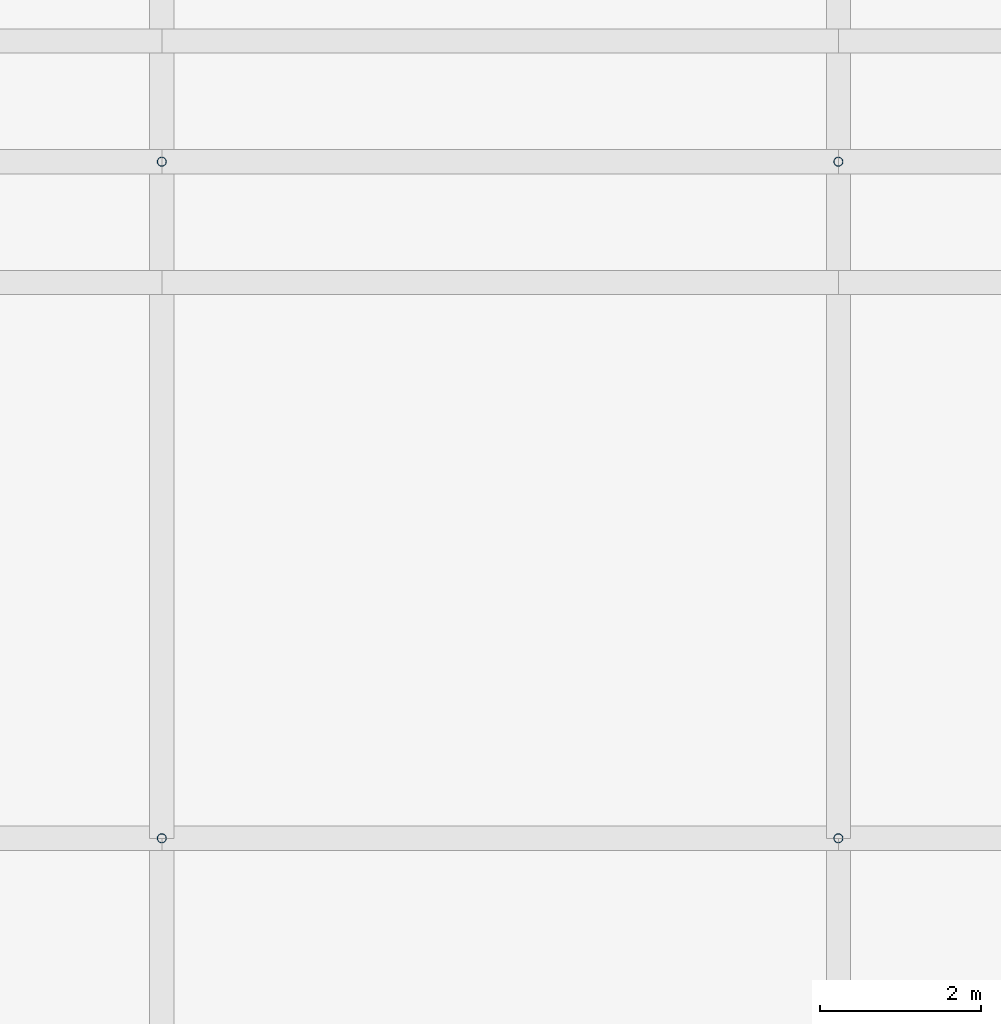
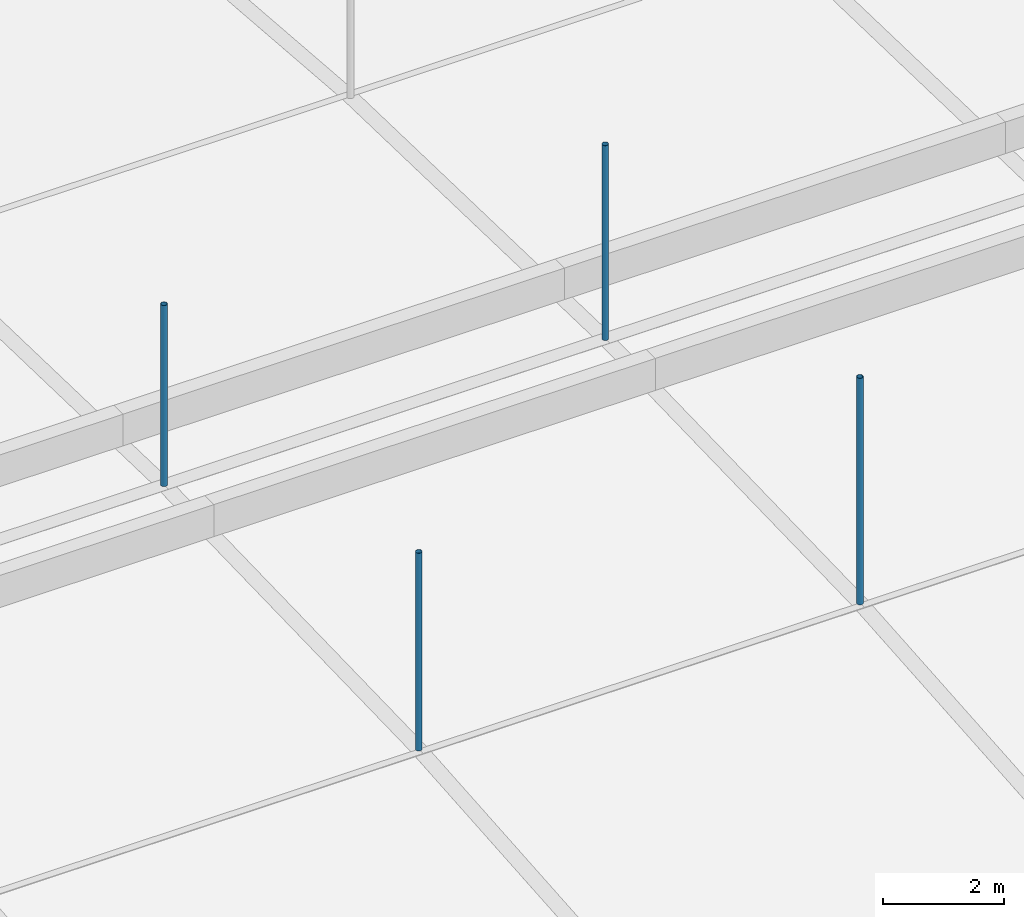
# One storey, part 22 of 37: 4 discrete accessories.
"""IFC4 building model written with IfcOpenShell, lengths in metres."""

import ifcopenshell
import ifcopenshell.guid

model = None  # the IFC model being written
_history = None  # IfcOwnerHistory: only IFC2X3 demands one
_inside = {}  # id of a spatial element -> (the spatial element, [elements in it])
_under = {}  # id of a project, library or spatial element -> (it, [spatial elements below it])
_declared = {}  # id of a project -> (the project, [libraries it declares])
_typed = {}  # id of a type object -> (the type object, [elements of that type])
_made_of = {}  # id of a material, layer set ... -> (it, [elements and type objects made of it])


def new_model(schema):
    """Start an empty IFC model of exactly this schema.

    Asked for "IFC4X3", IfcOpenShell would pick the latest addendum, in which some entities
    have other attributes; the version numbers below select the first issue.
    IFC2X3 requires an IfcOwnerHistory on every rooted entity: one is made here for all.
    """
    global model, _history
    if schema == "IFC4X3":
        model = ifcopenshell.file(schema_version=(4, 3, 0, 0))
    else:
        model = ifcopenshell.file(schema=schema)
    _inside.clear()
    _under.clear()
    _declared.clear()
    _typed.clear()
    _made_of.clear()
    _history = None
    if model.schema == "IFC2X3":
        org = make("IfcOrganization", Name="unknown")
        user = make(
            "IfcPersonAndOrganization",
            ThePerson=make("IfcPerson", FamilyName="unknown"),
            TheOrganization=org,
        )
        app = make(
            "IfcApplication",
            ApplicationDeveloper=org,
            Version="unknown",
            ApplicationFullName="unknown",
            ApplicationIdentifier="unknown",
        )
        _history = make(
            "IfcOwnerHistory",
            OwningUser=user,
            OwningApplication=app,
            ChangeAction="ADDED",
            CreationDate=0,
        )
    return model


def make(cls, **values):
    """One entity of the class cls with the attributes given. An attribute that is None is left unset."""
    return model.create_entity(
        cls, **{name: value for name, value in values.items() if value is not None}
    )


def rooted(cls, **values):
    """An entity with a GlobalId (a new one), such as an element, a storey or a relation."""
    return make(cls, GlobalId=ifcopenshell.guid.new(), OwnerHistory=_history, **values)


def si_unit(unit_type, name, prefix=None):
    """IfcSIUnit, for example si_unit("LENGTHUNIT", "METRE", prefix="MILLI")."""
    return make("IfcSIUnit", UnitType=unit_type, Prefix=prefix, Name=name)


def assignment(units):
    """IfcUnitAssignment: the units of a project."""
    return None if units is None else make("IfcUnitAssignment", Units=units)


def point(xyz):
    """IfcCartesianPoint."""
    return None if xyz is None else make("IfcCartesianPoint", Coordinates=xyz)


def direction(xyz):
    """IfcDirection."""
    return None if xyz is None else make("IfcDirection", DirectionRatios=xyz)


def frame(location, z_axis=None, x_axis=None):
    """IfcAxis2Placement3D, a coordinate frame: its origin and axes. An axis left out is left unset."""
    return make(
        "IfcAxis2Placement3D",
        Location=point(location),
        Axis=direction(z_axis),
        RefDirection=direction(x_axis),
    )


def frame_2d(location, x_axis=None):
    """IfcAxis2Placement2D, a coordinate frame in the plane: its origin and x axis."""
    return make(
        "IfcAxis2Placement2D", Location=point(location), RefDirection=direction(x_axis)
    )


def origin():
    """The frame at (0, 0, 0) with its axes left unset."""
    return frame((0.0, 0.0, 0.0))


def origin_2d():
    """The frame at (0, 0) in the plane with its x axis left unset."""
    return frame_2d((0.0, 0.0))


def place(relative_to, where):
    """IfcLocalPlacement: puts the frame where relative to a parent placement (None: the world)."""
    return make(
        "IfcLocalPlacement", PlacementRelTo=relative_to, RelativePlacement=where
    )


def context(
    kind, dimensions, precision=None, world=None, true_north=None, identifier=None
):
    """IfcGeometricRepresentationContext, for example the 3D "Model" context."""
    return make(
        "IfcGeometricRepresentationContext",
        ContextIdentifier=identifier,
        ContextType=kind,
        CoordinateSpaceDimension=dimensions,
        Precision=precision,
        WorldCoordinateSystem=world,
        TrueNorth=true_north,
    )


def subcontext(parent, identifier, kind, view, scale=None):
    """IfcGeometricRepresentationSubContext, for example "Body" below "Model"."""
    return make(
        "IfcGeometricRepresentationSubContext",
        ContextIdentifier=identifier,
        ContextType=kind,
        ParentContext=parent,
        TargetScale=scale,
        TargetView=view,
    )


def project(units=None, contexts=None):
    """IfcProject with its units and contexts."""
    return rooted(
        "IfcProject",
        Name="project",
        RepresentationContexts=contexts,
        UnitsInContext=assignment(units),
    )


def spatial(cls, under=None, at=None, **own):
    """A site, building, storey or space (cls), placed at a placement, below another one or the project."""
    s = rooted(cls, ObjectPlacement=at, **own)
    if under is not None:
        _under.setdefault(under.id(), (under, []))[1].append(s)
    return s


def profile(cls, at=None, kind="AREA", **sizes):
    """A parametric profile (cls). Its sizes go by their IFC names, for example OverallWidth=200.0."""
    return make(cls, ProfileType=kind, Position=at, **sizes)


def hollow_circle(**sizes):
    """IfcCircleHollowProfileDef."""
    return profile("IfcCircleHollowProfileDef", **sizes)


def extrude(swept, where, along, depth):
    """IfcExtrudedAreaSolid: the profile swept, set in the frame where, extruded along a direction by depth."""
    return make(
        "IfcExtrudedAreaSolid",
        SweptArea=swept,
        Position=where,
        ExtrudedDirection=direction(along),
        Depth=depth,
    )


def shape(context_of_items, identifier, shape_type, items):
    """IfcShapeRepresentation: the items that make up one representation, for example the "Body"."""
    return make(
        "IfcShapeRepresentation",
        ContextOfItems=context_of_items,
        RepresentationIdentifier=identifier,
        RepresentationType=shape_type,
        Items=items,
    )


def material(Name=None, Category=None):
    """IfcMaterial."""
    return make("IfcMaterial", Name=Name, Category=Category)


def material_profile(
    of_material, cross_section, Name=None, Category=None, Priority=None
):
    """IfcMaterialProfile: a cross section and its material."""
    return make(
        "IfcMaterialProfile",
        Name=Name,
        Material=of_material,
        Profile=cross_section,
        Priority=Priority,
        Category=Category,
    )


def profile_set(profiles, Name=None, composite=None):
    """IfcMaterialProfileSet."""
    return make(
        "IfcMaterialProfileSet",
        Name=Name,
        MaterialProfiles=profiles,
        CompositeProfile=composite,
    )


def made_of(thing, what):
    """Note that an element or type object is made of a material, layer set ...; save() writes the relation."""
    if what is not None:
        _made_of.setdefault(what.id(), (what, []))[1].append(thing)
    return thing


def type_object(cls, material=None, **own):
    """A type object (cls), such as IfcWallType, which elements share."""
    return made_of(rooted(cls, **own), material)


def element(
    cls,
    number,
    at=None,
    inside=None,
    cuts=None,
    type_object=None,
    material=None,
    context=None,
    identifier="Body",
    shape_type=None,
    held_by="IfcProductDefinitionShape",
    body=None,
    shapes=None,
    **own,
):
    """One element of the class cls, such as IfcWall. Its Tag is "e" and its number.

    at: its placement. inside: the storey or other place that contains it. cuts: it is an
    opening in that element (IfcRelVoidsElement). A single representation is given by context,
    identifier, shape_type and body (its items); several are given by shapes. held_by: the class
    of the entity that holds the representations. save() writes the other relations.
    """
    e = rooted(cls, Tag="e%d" % number, ObjectPlacement=at, **own)
    if body is not None:
        shapes = [shape(context, identifier, shape_type, body)]
    if shapes is not None:
        e.Representation = make(held_by, Representations=shapes)
    if inside is not None:
        _inside.setdefault(inside.id(), (inside, []))[1].append(e)
    if cuts is not None:
        rooted(
            "IfcRelVoidsElement", RelatingBuildingElement=cuts, RelatedOpeningElement=e
        )
    if type_object is not None:
        _typed.setdefault(type_object.id(), (type_object, []))[1].append(e)
    return made_of(e, material)


def aggregate(whole, parts):
    """IfcRelAggregates: a whole, such as a stair, and the parts it consists of."""
    return rooted("IfcRelAggregates", RelatingObject=whole, RelatedObjects=parts)


def save(model, path):
    """Write the relations noted so far, then the file.

    IfcRelAggregates (storeys below a building ...), IfcRelContainedInSpatialStructure (elements
    in a storey), IfcRelDefinesByType, IfcRelAssociatesMaterial and IfcRelDeclares: one each for
    every whole, place, type object, material and project.
    """
    for whole, parts in _under.values():
        aggregate(whole, parts)
    for where, things in _inside.values():
        rooted(
            "IfcRelContainedInSpatialStructure",
            RelatedElements=things,
            RelatingStructure=where,
        )
    for kind, things in _typed.values():
        rooted("IfcRelDefinesByType", RelatedObjects=things, RelatingType=kind)
    for what, things in _made_of.values():
        rooted("IfcRelAssociatesMaterial", RelatedObjects=things, RelatingMaterial=what)
    for by, libraries in _declared.values():
        rooted("IfcRelDeclares", RelatingContext=by, RelatedDefinitions=libraries)
    model.write(path)


model = new_model("IFC4")

# Units and contexts
model_context = context("Model", 3, precision=1e-05, world=origin(), true_north=direction((0.0, 1.0)))
body_context = subcontext(model_context, "Body", "Model", "MODEL_VIEW")
ifc_project = project(units=[si_unit("LENGTHUNIT", "METRE"), si_unit("AREAUNIT", "SQUARE_METRE"), si_unit("VOLUMEUNIT", "CUBIC_METRE"), si_unit("PLANEANGLEUNIT", "RADIAN"), si_unit("MASSUNIT", "GRAM", prefix="KILO")], contexts=[model_context])

# Site, building, storey
site_placement = place(None, origin())
site = spatial("IfcSite", under=ifc_project, at=site_placement, CompositionType="ELEMENT")
building_placement = place(site_placement, origin())
building = spatial("IfcBuilding", under=site, at=building_placement, Name="Rain Tree Exposition and Congress Centre", CompositionType="ELEMENT")
storey_placement = place(building_placement, frame((0.0, 0.0, 25.0)))
storey = spatial("IfcBuildingStorey", under=building, at=storey_placement, Name="ROOF VAULT LOW", CompositionType="ELEMENT", Elevation=25.0)

# Discrete accessories
ifc_material = material(Name="Steel S355J2H", Category="steel")
ifc_material_profile = material_profile(ifc_material, hollow_circle(Radius=0.05712890625, WallThickness=0.00439453125, at=origin_2d()), Name="CHS 114x4.5")
ifc_profile_set = profile_set([ifc_material_profile], Name="Steel S355J2H")
discrete_accessory_type = type_object("IfcDiscreteAccessoryType", Name="Roof skin post CHS 114x4.5", PredefinedType="BRACKET", material=ifc_profile_set)
discrete_accessory_1_placement = place(storey_placement, frame((92.39990234375, 142.800048828125, 1.1728515625), z_axis=(0.0, 0.0, 1.0), x_axis=(1.0, 0.0, 0.0)))
element("IfcDiscreteAccessory", 1, at=discrete_accessory_1_placement, inside=storey, type_object=discrete_accessory_type, Name="Roof skin post A86", PredefinedType="BRACKET", context=body_context, shape_type="SweptSolid", body=[
    extrude(hollow_circle(Radius=0.05712890625, WallThickness=0.00439453125, at=origin_2d()), origin(), (0.0, 0.0, 1.0), 3.978515625),
])
discrete_accessory_2_placement = place(storey_placement, frame((100.800048828125, 142.800048828125, 1.1728515625), z_axis=(0.0, 0.0, 1.0), x_axis=(1.0, 0.0, 0.0)))
element("IfcDiscreteAccessory", 2, at=discrete_accessory_2_placement, inside=storey, type_object=discrete_accessory_type, Name="Roof skin post A87", PredefinedType="BRACKET", context=body_context, shape_type="SweptSolid", body=[
    extrude(hollow_circle(Radius=0.05712890625, WallThickness=0.00439453125, at=origin_2d()), origin(), (0.0, 0.0, 1.0), 4.55859375),
])
discrete_accessory_3_placement = place(storey_placement, frame((92.39990234375, 151.199951171875, 1.39990234375), z_axis=(0.0, 0.0, 1.0), x_axis=(1.0, 0.0, 0.0)))
element("IfcDiscreteAccessory", 3, at=discrete_accessory_3_placement, inside=storey, type_object=discrete_accessory_type, Name="Roof skin post A101", PredefinedType="BRACKET", context=body_context, shape_type="SweptSolid", body=[
    extrude(hollow_circle(Radius=0.05712890625, WallThickness=0.00439453125, at=origin_2d()), origin(), (0.0, 0.0, 1.0), 3.64306640625),
])
discrete_accessory_4_placement = place(storey_placement, frame((100.800048828125, 151.199951171875, 1.39990234375), z_axis=(0.0, 0.0, 1.0), x_axis=(1.0, 0.0, 0.0)))
element("IfcDiscreteAccessory", 4, at=discrete_accessory_4_placement, inside=storey, type_object=discrete_accessory_type, Name="Roof skin post A102", PredefinedType="BRACKET", context=body_context, shape_type="SweptSolid", body=[
    extrude(hollow_circle(Radius=0.05712890625, WallThickness=0.00439453125, at=origin_2d()), origin(), (0.0, 0.0, 1.0), 3.920166015625),
])

save(model, "model.ifc")
